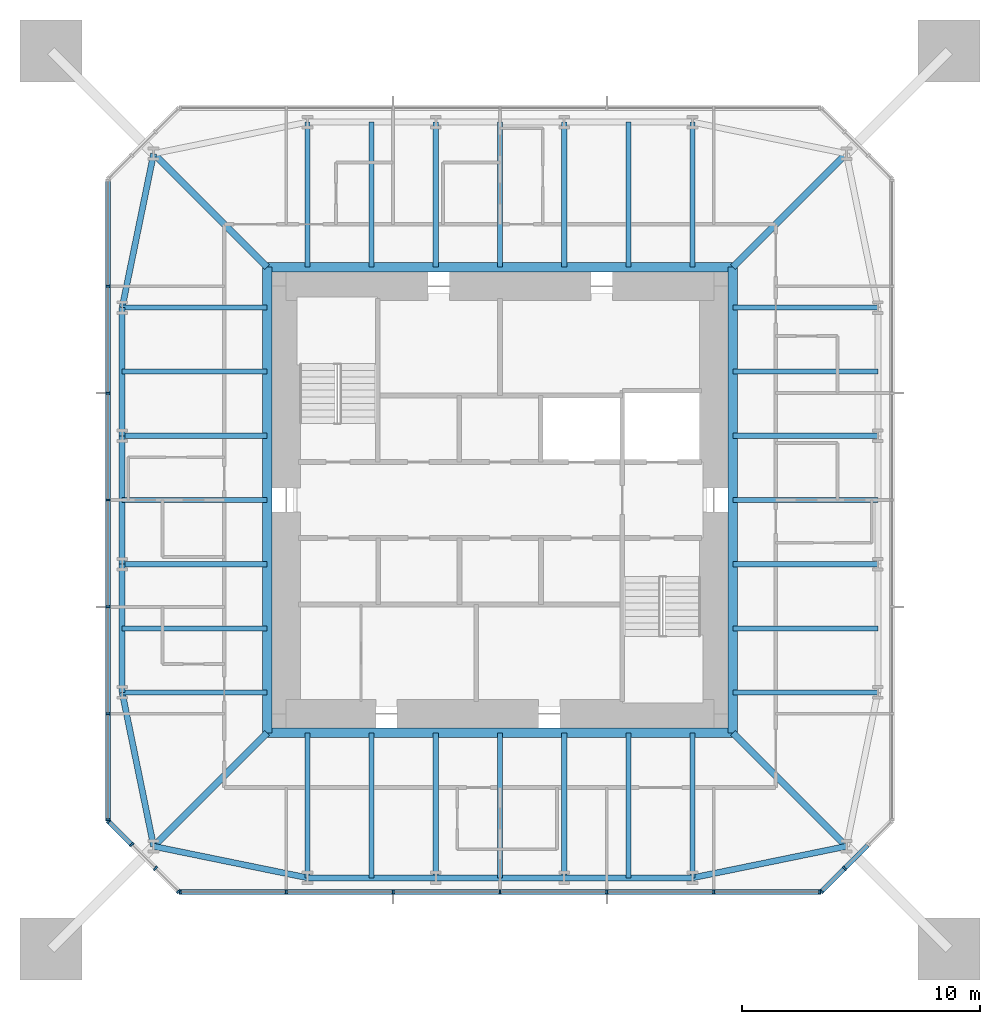
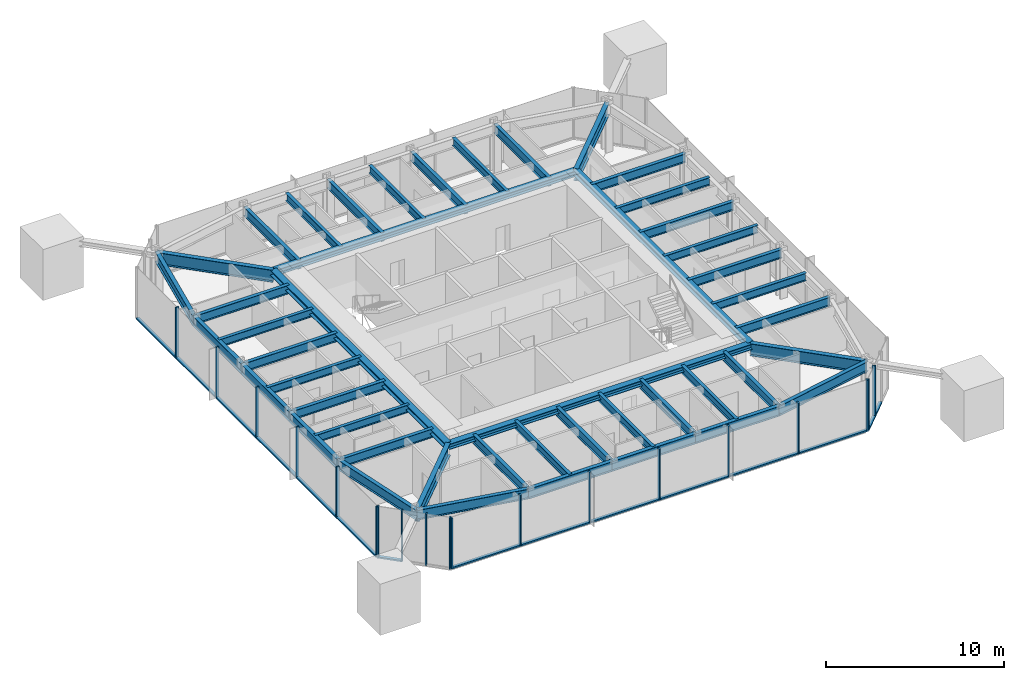
# One storey, part 2 of 9: 46 beams, 34 members, 4 elements without a shape of their own.
"""IFC4 building model written with IfcOpenShell, lengths in metres."""

from ifc_helpers import new_model, si_unit, direction, frame, origin, origin_2d, place, context, subcontext, project, spatial, rectangle, i_section, extrude, material, material_profile, profile_set, type_object, element, aggregate, save


model = new_model("IFC4")

# Units and contexts
model_context = context("Model", 3, precision=1e-05, world=origin(), true_north=direction((0.0, 1.0)))
body_context = subcontext(model_context, "Body", "Model", "MODEL_VIEW")
ifc_project = project(units=[si_unit("LENGTHUNIT", "METRE"), si_unit("AREAUNIT", "SQUARE_METRE"), si_unit("VOLUMEUNIT", "CUBIC_METRE"), si_unit("PLANEANGLEUNIT", "RADIAN"), si_unit("MASSUNIT", "GRAM", prefix="KILO")], contexts=[model_context])

# Site, building, storey
site_placement = place(None, origin())
site = spatial("IfcSite", under=ifc_project, at=site_placement, CompositionType="ELEMENT")
building_placement = place(site_placement, origin())
building = spatial("IfcBuilding", under=site, at=building_placement, Name="Iwan Alto Co-Living Towers", CompositionType="ELEMENT")
storey_placement = place(building_placement, frame((0.0, 0.0, 232.5)))
storey = spatial("IfcBuildingStorey", under=building, at=storey_placement, Name="L63", CompositionType="ELEMENT", Elevation=232.5)

# Curtain wall, members
ifc_material_1 = material(Name="Bronze aluminium unitised frame", Category="aluminium")
curtain_wall_type_1 = type_object("IfcCurtainWallType", Name="CURTAIN WALL CW-A", PredefinedType="NOTDEFINED", material=ifc_material_1)
curtain_wall_1_placement = place(storey_placement, origin())
curtain_wall_1 = element("IfcCurtainWall", 1, at=curtain_wall_1_placement, inside=storey, type_object=curtain_wall_type_1, Name="T1 curtain wall S L63", PredefinedType="NOTDEFINED")
ifc_material_2 = material(Name="Aluminium 6063-T6 bronze anodised", Category="aluminium")
ifc_material_profile_1 = material_profile(ifc_material_2, rectangle(XDim=0.199951171875, YDim=0.080078125, at=origin_2d()), Name="AL 80X200")
ifc_profile_set_1 = profile_set([ifc_material_profile_1], Name="Aluminium 6063-T6 bronze anodised")
member_type_1 = type_object("IfcMemberType", Name="CW-A MULLION 80X200", PredefinedType="MULLION", material=ifc_profile_set_1)
member_1_placement = place(storey_placement, frame((-13.4599609375, -16.5, 0.0), z_axis=(0.0, 0.0, 1.0), x_axis=(0.0, 1.0, 0.0)))
member_1 = element("IfcMember", 2, at=member_1_placement, type_object=member_type_1, Name="CW-A mullion 1", PredefinedType="MULLION", context=body_context, shape_type="SweptSolid", body=[
    extrude(rectangle(XDim=0.199951171875, YDim=0.080078125, at=origin_2d()), origin(), (0.0, 0.0, 1.0), 3.5),
])
member_2_placement = place(storey_placement, frame((-9.0, -16.5, 0.0), z_axis=(0.0, 0.0, 1.0), x_axis=(0.0, 1.0, 0.0)))
member_2 = element("IfcMember", 3, at=member_2_placement, type_object=member_type_1, Name="CW-A mullion 2", PredefinedType="MULLION", context=body_context, shape_type="SweptSolid", body=[
    extrude(rectangle(XDim=0.199951171875, YDim=0.080078125, at=origin_2d()), origin(), (0.0, 0.0, 1.0), 3.5),
])
member_3_placement = place(storey_placement, frame((-4.5, -16.5, 0.0), z_axis=(0.0, 0.0, 1.0), x_axis=(0.0, 1.0, 0.0)))
member_3 = element("IfcMember", 4, at=member_3_placement, type_object=member_type_1, Name="CW-A mullion 3", PredefinedType="MULLION", context=body_context, shape_type="SweptSolid", body=[
    extrude(rectangle(XDim=0.199951171875, YDim=0.080078125, at=origin_2d()), origin(), (0.0, 0.0, 1.0), 3.5),
])
member_4_placement = place(storey_placement, frame((0.0, -16.5, 0.0), z_axis=(0.0, 0.0, 1.0), x_axis=(0.0, 1.0, 0.0)))
member_4 = element("IfcMember", 5, at=member_4_placement, type_object=member_type_1, Name="CW-A mullion 4", PredefinedType="MULLION", context=body_context, shape_type="SweptSolid", body=[
    extrude(rectangle(XDim=0.199951171875, YDim=0.080078125, at=origin_2d()), origin(), (0.0, 0.0, 1.0), 3.5),
])
member_5_placement = place(storey_placement, frame((4.5, -16.5, 0.0), z_axis=(0.0, 0.0, 1.0), x_axis=(0.0, 1.0, 0.0)))
member_5 = element("IfcMember", 6, at=member_5_placement, type_object=member_type_1, Name="CW-A mullion 5", PredefinedType="MULLION", context=body_context, shape_type="SweptSolid", body=[
    extrude(rectangle(XDim=0.199951171875, YDim=0.080078125, at=origin_2d()), origin(), (0.0, 0.0, 1.0), 3.5),
])
member_6_placement = place(storey_placement, frame((9.0, -16.5, 0.0), z_axis=(0.0, 0.0, 1.0), x_axis=(0.0, 1.0, 0.0)))
member_6 = element("IfcMember", 7, at=member_6_placement, type_object=member_type_1, Name="CW-A mullion 6", PredefinedType="MULLION", context=body_context, shape_type="SweptSolid", body=[
    extrude(rectangle(XDim=0.199951171875, YDim=0.080078125, at=origin_2d()), origin(), (0.0, 0.0, 1.0), 3.5),
])
member_7_placement = place(storey_placement, frame((13.4599609375, -16.5, 0.0), z_axis=(0.0, 0.0, 1.0), x_axis=(0.0, 1.0, 0.0)))
member_7 = element("IfcMember", 8, at=member_7_placement, type_object=member_type_1, Name="CW-A mullion 7", PredefinedType="MULLION", context=body_context, shape_type="SweptSolid", body=[
    extrude(rectangle(XDim=0.199951171875, YDim=0.080078125, at=origin_2d()), origin(), (0.0, 0.0, 1.0), 3.5),
])

curtain_wall_2_placement = place(storey_placement, origin())
curtain_wall_2 = element("IfcCurtainWall", 9, at=curtain_wall_2_placement, inside=storey, type_object=curtain_wall_type_1, Name="T1 curtain wall W L63", PredefinedType="NOTDEFINED")
member_8_placement = place(storey_placement, frame((-16.5, 9.0, 0.0), z_axis=(0.0, 0.0, 1.0), x_axis=(1.0, 0.0, 0.0)))
member_8 = element("IfcMember", 10, at=member_8_placement, type_object=member_type_1, Name="CW-A mullion 2", PredefinedType="MULLION", context=body_context, shape_type="SweptSolid", body=[
    extrude(rectangle(XDim=0.199951171875, YDim=0.080078125, at=origin_2d()), origin(), (0.0, 0.0, 1.0), 3.5),
])
member_9_placement = place(storey_placement, frame((-16.5, 4.5, 0.0), z_axis=(0.0, 0.0, 1.0), x_axis=(1.0, 0.0, 0.0)))
member_9 = element("IfcMember", 11, at=member_9_placement, type_object=member_type_1, Name="CW-A mullion 3", PredefinedType="MULLION", context=body_context, shape_type="SweptSolid", body=[
    extrude(rectangle(XDim=0.199951171875, YDim=0.080078125, at=origin_2d()), origin(), (0.0, 0.0, 1.0), 3.5),
])
member_10_placement = place(storey_placement, frame((-16.5, 0.0, 0.0), z_axis=(0.0, 0.0, 1.0), x_axis=(1.0, 0.0, 0.0)))
member_10 = element("IfcMember", 12, at=member_10_placement, type_object=member_type_1, Name="CW-A mullion 4", PredefinedType="MULLION", context=body_context, shape_type="SweptSolid", body=[
    extrude(rectangle(XDim=0.199951171875, YDim=0.080078125, at=origin_2d()), origin(), (0.0, 0.0, 1.0), 3.5),
])
member_11_placement = place(storey_placement, frame((-16.5, -4.5, 0.0), z_axis=(0.0, 0.0, 1.0), x_axis=(1.0, 0.0, 0.0)))
member_11 = element("IfcMember", 13, at=member_11_placement, type_object=member_type_1, Name="CW-A mullion 5", PredefinedType="MULLION", context=body_context, shape_type="SweptSolid", body=[
    extrude(rectangle(XDim=0.199951171875, YDim=0.080078125, at=origin_2d()), origin(), (0.0, 0.0, 1.0), 3.5),
])
member_12_placement = place(storey_placement, frame((-16.5, -9.0, 0.0), z_axis=(0.0, 0.0, 1.0), x_axis=(1.0, 0.0, 0.0)))
member_12 = element("IfcMember", 14, at=member_12_placement, type_object=member_type_1, Name="CW-A mullion 6", PredefinedType="MULLION", context=body_context, shape_type="SweptSolid", body=[
    extrude(rectangle(XDim=0.199951171875, YDim=0.080078125, at=origin_2d()), origin(), (0.0, 0.0, 1.0), 3.5),
])
member_13_placement = place(storey_placement, frame((-16.5, -13.4599609375, 0.0), z_axis=(0.0, 0.0, 1.0), x_axis=(1.0, 0.0, 0.0)))
member_13 = element("IfcMember", 15, at=member_13_placement, type_object=member_type_1, Name="CW-A mullion 7", PredefinedType="MULLION", context=body_context, shape_type="SweptSolid", body=[
    extrude(rectangle(XDim=0.199951171875, YDim=0.080078125, at=origin_2d()), origin(), (0.0, 0.0, 1.0), 3.5),
])

# Member
ifc_material_3 = material(Name="Aluminium 6063-T6 bronze anodised", Category="aluminium")
ifc_material_profile_2 = material_profile(ifc_material_3, rectangle(XDim=0.199951171875, YDim=0.10009765625, at=origin_2d()), Name="AL 200X100")
ifc_profile_set_2 = profile_set([ifc_material_profile_2], Name="Aluminium 6063-T6 bronze anodised")
member_type_2 = type_object("IfcMemberType", Name="CW-A TRANSOM 200X100", PredefinedType="USERDEFINED", material=ifc_profile_set_2)
member_14_placement = place(storey_placement, frame((-13.419921875, -16.5, 0.050048828125), z_axis=(1.0, 0.0, 0.0), x_axis=(0.0, 1.0, 0.0)))
member_14 = element("IfcMember", 16, at=member_14_placement, type_object=member_type_2, Name="CW-A transom 1.1", ObjectType="TRANSOM", PredefinedType="USERDEFINED", context=body_context, shape_type="SweptSolid", body=[
    extrude(rectangle(XDim=0.199951171875, YDim=0.10009765625, at=origin_2d()), origin(), (0.0, 0.0, 1.0), 4.3798828125),
])

member_15_placement = place(storey_placement, frame((-8.9599609375, -16.5, 0.050048828125), z_axis=(1.0, 0.0, 0.0), x_axis=(0.0, 1.0, 0.0)))
member_15 = element("IfcMember", 17, at=member_15_placement, type_object=member_type_2, Name="CW-A transom 2.1", ObjectType="TRANSOM", PredefinedType="USERDEFINED", context=body_context, shape_type="SweptSolid", body=[
    extrude(rectangle(XDim=0.199951171875, YDim=0.10009765625, at=origin_2d()), origin(), (0.0, 0.0, 1.0), 4.419921875),
])

member_16_placement = place(storey_placement, frame((-4.4599609375, -16.5, 0.050048828125), z_axis=(1.0, 0.0, 0.0), x_axis=(0.0, 1.0, 0.0)))
member_16 = element("IfcMember", 18, at=member_16_placement, type_object=member_type_2, Name="CW-A transom 3.1", ObjectType="TRANSOM", PredefinedType="USERDEFINED", context=body_context, shape_type="SweptSolid", body=[
    extrude(rectangle(XDim=0.199951171875, YDim=0.10009765625, at=origin_2d()), origin(), (0.0, 0.0, 1.0), 4.419921875),
])

member_17_placement = place(storey_placement, frame((0.0400390625, -16.5, 0.050048828125), z_axis=(1.0, 0.0, 0.0), x_axis=(0.0, 1.0, 0.0)))
member_17 = element("IfcMember", 19, at=member_17_placement, type_object=member_type_2, Name="CW-A transom 4.1", ObjectType="TRANSOM", PredefinedType="USERDEFINED", context=body_context, shape_type="SweptSolid", body=[
    extrude(rectangle(XDim=0.199951171875, YDim=0.10009765625, at=origin_2d()), origin(), (0.0, 0.0, 1.0), 4.419921875),
])

member_18_placement = place(storey_placement, frame((4.5400390625, -16.5, 0.050048828125), z_axis=(1.0, 0.0, 0.0), x_axis=(0.0, 1.0, 0.0)))
member_18 = element("IfcMember", 20, at=member_18_placement, type_object=member_type_2, Name="CW-A transom 5.1", ObjectType="TRANSOM", PredefinedType="USERDEFINED", context=body_context, shape_type="SweptSolid", body=[
    extrude(rectangle(XDim=0.199951171875, YDim=0.10009765625, at=origin_2d()), origin(), (0.0, 0.0, 1.0), 4.419921875),
])

member_19_placement = place(storey_placement, frame((9.0400390625, -16.5, 0.050048828125), z_axis=(1.0, 0.0, 0.0), x_axis=(0.0, 1.0, 0.0)))
member_19 = element("IfcMember", 21, at=member_19_placement, type_object=member_type_2, Name="CW-A transom 6.1", ObjectType="TRANSOM", PredefinedType="USERDEFINED", context=body_context, shape_type="SweptSolid", body=[
    extrude(rectangle(XDim=0.199951171875, YDim=0.10009765625, at=origin_2d()), origin(), (0.0, 0.0, 1.0), 4.3798828125),
])

aggregate(curtain_wall_1, [member_1, member_2, member_3, member_4, member_5, member_6, member_7, member_14, member_15, member_16, member_17, member_18, member_19])

member_20_placement = place(storey_placement, frame((-16.5, 13.419921875, 0.050048828125), z_axis=(0.0, -1.0, 0.0), x_axis=(1.0, 0.0, 0.0)))
member_20 = element("IfcMember", 22, at=member_20_placement, type_object=member_type_2, Name="CW-A transom 1.1", ObjectType="TRANSOM", PredefinedType="USERDEFINED", context=body_context, shape_type="SweptSolid", body=[
    extrude(rectangle(XDim=0.199951171875, YDim=0.10009765625, at=origin_2d()), origin(), (0.0, 0.0, 1.0), 4.3798828125),
])

member_21_placement = place(storey_placement, frame((-16.5, 8.9599609375, 0.050048828125), z_axis=(0.0, -1.0, 0.0), x_axis=(1.0, 0.0, 0.0)))
member_21 = element("IfcMember", 23, at=member_21_placement, type_object=member_type_2, Name="CW-A transom 2.1", ObjectType="TRANSOM", PredefinedType="USERDEFINED", context=body_context, shape_type="SweptSolid", body=[
    extrude(rectangle(XDim=0.199951171875, YDim=0.10009765625, at=origin_2d()), origin(), (0.0, 0.0, 1.0), 4.419921875),
])

member_22_placement = place(storey_placement, frame((-16.5, 4.4599609375, 0.050048828125), z_axis=(0.0, -1.0, 0.0), x_axis=(1.0, 0.0, 0.0)))
member_22 = element("IfcMember", 24, at=member_22_placement, type_object=member_type_2, Name="CW-A transom 3.1", ObjectType="TRANSOM", PredefinedType="USERDEFINED", context=body_context, shape_type="SweptSolid", body=[
    extrude(rectangle(XDim=0.199951171875, YDim=0.10009765625, at=origin_2d()), origin(), (0.0, 0.0, 1.0), 4.419921875),
])

member_23_placement = place(storey_placement, frame((-16.5, -0.0400390625, 0.050048828125), z_axis=(0.0, -1.0, 0.0), x_axis=(1.0, 0.0, 0.0)))
member_23 = element("IfcMember", 25, at=member_23_placement, type_object=member_type_2, Name="CW-A transom 4.1", ObjectType="TRANSOM", PredefinedType="USERDEFINED", context=body_context, shape_type="SweptSolid", body=[
    extrude(rectangle(XDim=0.199951171875, YDim=0.10009765625, at=origin_2d()), origin(), (0.0, 0.0, 1.0), 4.419921875),
])

member_24_placement = place(storey_placement, frame((-16.5, -4.5400390625, 0.050048828125), z_axis=(0.0, -1.0, 0.0), x_axis=(1.0, 0.0, 0.0)))
member_24 = element("IfcMember", 26, at=member_24_placement, type_object=member_type_2, Name="CW-A transom 5.1", ObjectType="TRANSOM", PredefinedType="USERDEFINED", context=body_context, shape_type="SweptSolid", body=[
    extrude(rectangle(XDim=0.199951171875, YDim=0.10009765625, at=origin_2d()), origin(), (0.0, 0.0, 1.0), 4.419921875),
])

member_25_placement = place(storey_placement, frame((-16.5, -9.0400390625, 0.050048828125), z_axis=(0.0, -1.0, 0.0), x_axis=(1.0, 0.0, 0.0)))
member_25 = element("IfcMember", 27, at=member_25_placement, type_object=member_type_2, Name="CW-A transom 6.1", ObjectType="TRANSOM", PredefinedType="USERDEFINED", context=body_context, shape_type="SweptSolid", body=[
    extrude(rectangle(XDim=0.199951171875, YDim=0.10009765625, at=origin_2d()), origin(), (0.0, 0.0, 1.0), 4.3798828125),
])

aggregate(curtain_wall_2, [member_8, member_9, member_10, member_11, member_12, member_13, member_20, member_21, member_22, member_23, member_24, member_25])

# Curtain wall, members
ifc_material_4 = material(Name="Bronze aluminium unitised frame", Category="aluminium")
curtain_wall_type_2 = type_object("IfcCurtainWallType", Name="CURTAIN WALL CW-B", PredefinedType="NOTDEFINED", material=ifc_material_4)
curtain_wall_3_placement = place(storey_placement, origin())
curtain_wall_3 = element("IfcCurtainWall", 28, at=curtain_wall_3_placement, inside=storey, type_object=curtain_wall_type_2, Name="T1 chamfer curtain wall SE L63", PredefinedType="NOTDEFINED")
ifc_material_5 = material(Name="Aluminium 6063-T6 bronze anodised", Category="aluminium")
ifc_material_profile_3 = material_profile(ifc_material_5, rectangle(XDim=0.199951171875, YDim=0.080078125, at=origin_2d()), Name="AL 80X200")
ifc_profile_set_3 = profile_set([ifc_material_profile_3], Name="Aluminium 6063-T6 bronze anodised")
member_type_3 = type_object("IfcMemberType", Name="CW-B MULLION 80X200", PredefinedType="MULLION", material=ifc_profile_set_3)
member_26_placement = place(storey_placement, frame((13.5283203125, -16.4716796875, 0.0), z_axis=(0.0, 0.0, 1.0), x_axis=(-0.707106781187, 0.707106781187, 0.0)))
member_26 = element("IfcMember", 29, at=member_26_placement, type_object=member_type_3, Name="CW-B mullion 1", PredefinedType="MULLION", context=body_context, shape_type="SweptSolid", body=[
    extrude(rectangle(XDim=0.199951171875, YDim=0.080078125, at=origin_2d()), origin(), (0.0, 0.0, 1.0), 3.5),
])
member_27_placement = place(storey_placement, frame((14.5, -15.5, 0.0), z_axis=(0.0, 0.0, 1.0), x_axis=(-0.707106781187, 0.707106781187, 0.0)))
member_27 = element("IfcMember", 30, at=member_27_placement, type_object=member_type_3, Name="CW-B mullion 2", PredefinedType="MULLION", context=body_context, shape_type="SweptSolid", body=[
    extrude(rectangle(XDim=0.199951171875, YDim=0.080078125, at=origin_2d()), origin(), (0.0, 0.0, 1.0), 3.5),
])

curtain_wall_4_placement = place(storey_placement, origin())
curtain_wall_4 = element("IfcCurtainWall", 31, at=curtain_wall_4_placement, inside=storey, type_object=curtain_wall_type_2, Name="T1 chamfer curtain wall SW L63", PredefinedType="NOTDEFINED")
member_28_placement = place(storey_placement, frame((-16.4716796875, -13.5283203125, 0.0), z_axis=(0.0, 0.0, 1.0), x_axis=(0.707106781187, 0.707106781187, 0.0)))
member_28 = element("IfcMember", 32, at=member_28_placement, type_object=member_type_3, Name="CW-B mullion 1", PredefinedType="MULLION", context=body_context, shape_type="SweptSolid", body=[
    extrude(rectangle(XDim=0.199951171875, YDim=0.080078125, at=origin_2d()), origin(), (0.0, 0.0, 1.0), 3.5),
])
member_29_placement = place(storey_placement, frame((-15.5, -14.5, 0.0), z_axis=(0.0, 0.0, 1.0), x_axis=(0.707106781187, 0.707106781187, 0.0)))
member_29 = element("IfcMember", 33, at=member_29_placement, type_object=member_type_3, Name="CW-B mullion 2", PredefinedType="MULLION", context=body_context, shape_type="SweptSolid", body=[
    extrude(rectangle(XDim=0.199951171875, YDim=0.080078125, at=origin_2d()), origin(), (0.0, 0.0, 1.0), 3.5),
])
member_30_placement = place(storey_placement, frame((-14.5, -15.5, 0.0), z_axis=(0.0, 0.0, 1.0), x_axis=(0.707106781187, 0.707106781187, 0.0)))
member_30 = element("IfcMember", 34, at=member_30_placement, type_object=member_type_3, Name="CW-B mullion 3", PredefinedType="MULLION", context=body_context, shape_type="SweptSolid", body=[
    extrude(rectangle(XDim=0.199951171875, YDim=0.080078125, at=origin_2d()), origin(), (0.0, 0.0, 1.0), 3.5),
])
member_31_placement = place(storey_placement, frame((-13.5283203125, -16.4716796875, 0.0), z_axis=(0.0, 0.0, 1.0), x_axis=(0.707106781187, 0.707106781187, 0.0)))
member_31 = element("IfcMember", 35, at=member_31_placement, type_object=member_type_3, Name="CW-B mullion 4", PredefinedType="MULLION", context=body_context, shape_type="SweptSolid", body=[
    extrude(rectangle(XDim=0.199951171875, YDim=0.080078125, at=origin_2d()), origin(), (0.0, 0.0, 1.0), 3.5),
])

# Member
ifc_material_6 = material(Name="Aluminium 6063-T6 bronze anodised", Category="aluminium")
ifc_material_profile_4 = material_profile(ifc_material_6, rectangle(XDim=0.199951171875, YDim=0.10009765625, at=origin_2d()), Name="AL 200X100")
ifc_profile_set_4 = profile_set([ifc_material_profile_4], Name="Aluminium 6063-T6 bronze anodised")
member_type_4 = type_object("IfcMemberType", Name="CW-B TRANSOM 200X100", PredefinedType="USERDEFINED", material=ifc_profile_set_4)
member_32_placement = place(storey_placement, frame((13.556640625, -16.443359375, 0.050048828125), z_axis=(0.707106781187, 0.707106781187, 0.0), x_axis=(-0.707106781187, 0.707106781187, 0.0)))
member_32 = element("IfcMember", 36, at=member_32_placement, type_object=member_type_4, Name="CW-B transom 1.1", ObjectType="TRANSOM", PredefinedType="USERDEFINED", context=body_context, shape_type="SweptSolid", body=[
    extrude(rectangle(XDim=0.199951171875, YDim=0.10009765625, at=origin_2d()), origin(), (0.0, 0.0, 1.0), 1.2939453125),
])

member_33_placement = place(storey_placement, frame((14.5283203125, -15.4716796875, 0.050048828125), z_axis=(0.707106781187, 0.707106781187, 0.0), x_axis=(-0.707106781187, 0.707106781187, 0.0)))
member_33 = element("IfcMember", 37, at=member_33_placement, type_object=member_type_4, Name="CW-B transom 2.1", ObjectType="TRANSOM", PredefinedType="USERDEFINED", context=body_context, shape_type="SweptSolid", body=[
    extrude(rectangle(XDim=0.199951171875, YDim=0.10009765625, at=origin_2d()), origin(), (0.0, 0.0, 1.0), 1.334228515625),
])

aggregate(curtain_wall_3, [member_26, member_27, member_32, member_33])

member_34_placement = place(storey_placement, frame((-16.443359375, -13.556640625, 0.050048828125), z_axis=(0.707106781187, -0.707106781187, 0.0), x_axis=(0.707106781187, 0.707106781187, 0.0)))
member_34 = element("IfcMember", 38, at=member_34_placement, type_object=member_type_4, Name="CW-B transom 1.1", ObjectType="TRANSOM", PredefinedType="USERDEFINED", context=body_context, shape_type="SweptSolid", body=[
    extrude(rectangle(XDim=0.199951171875, YDim=0.10009765625, at=origin_2d()), origin(), (0.0, 0.0, 1.0), 1.2939453125),
])

aggregate(curtain_wall_4, [member_28, member_29, member_30, member_31, member_34])

# Beams
ifc_material_7 = material(Name="Steel ASTM A992 Gr 50", Category="steel")
ifc_material_profile_5 = material_profile(ifc_material_7, i_section(OverallWidth=0.398681640625, OverallDepth=0.385986328125, WebThickness=0.02099609375, FlangeThickness=0.033203125, at=origin_2d()), Name="W14X176")
ifc_profile_set_5 = profile_set([ifc_material_profile_5], Name="Steel ASTM A992 Gr 50")
beam_type_1 = type_object("IfcBeamType", Name="T1 CORE LEDGER BEAM W14X176", PredefinedType="BEAM", material=ifc_profile_set_5)
for number, where, z_axis, x_axis, name in (
    (39, (-9.79931640625, -9.79931640625, 3.076904296875), (1.0, 0.0, 0.0), (0.0, 1.0, 0.0), "T1 core ledger beam S L64"),
    (40, (9.79931640625, -9.79931640625, 3.076904296875), (0.0, 1.0, 0.0), (-1.0, 0.0, 0.0), "T1 core ledger beam E L64"),
    (41, (9.79931640625, 9.79931640625, 3.076904296875), (-1.0, 0.0, 0.0), (0.0, -1.0, 0.0), "T1 core ledger beam N L64"),
    (42, (-9.79931640625, 9.79931640625, 3.076904296875), (0.0, -1.0, 0.0), (1.0, 0.0, 0.0), "T1 core ledger beam W L64"),
):
    element("IfcBeam", number, at=place(storey_placement, frame(where, z_axis=z_axis, x_axis=x_axis)), inside=storey, type_object=beam_type_1, Name=name, PredefinedType="BEAM", context=body_context, shape_type="SweptSolid", body=[
        extrude(i_section(OverallWidth=0.398681640625, OverallDepth=0.385986328125, WebThickness=0.02099609375, FlangeThickness=0.033203125, at=origin_2d()), origin(), (0.0, 0.0, 1.0), 19.5986328125),
    ])
ifc_material_8 = material(Name="Steel ASTM A992 Gr 50", Category="steel")
ifc_material_profile_6 = material_profile(ifc_material_8, i_section(OverallWidth=0.2919921875, OverallDepth=0.8408203125, WebThickness=0.0146484375, FlangeThickness=0.021728515625, at=origin_2d()), Name="W33X130")
ifc_profile_set_6 = profile_set([ifc_material_profile_6], Name="Steel ASTM A992 Gr 50")
beam_type_2 = type_object("IfcBeamType", Name="T1 CORNER GIRDER W33X130", PredefinedType="BEAM", material=ifc_profile_set_6)
for number, where, z_axis, x_axis, name in (
    (43, (-14.57568359375, -14.57568359375, 2.849609375), (0.707106781187, 0.707106781187, 0.0), (-0.707106781187, 0.707106781187, 0.0), "T1 corner girder CSW L64"),
    (44, (14.57568359375, -14.57568359375, 2.849609375), (-0.707106781187, 0.707106781187, 0.0), (-0.707106781187, -0.707106781187, 0.0), "T1 corner girder CSE L64"),
    (45, (14.57568359375, 14.57568359375, 2.849609375), (-0.707106781187, -0.707106781187, 0.0), (0.707106781187, -0.707106781187, 0.0), "T1 corner girder CNE L64"),
    (46, (-14.57568359375, 14.57568359375, 2.849609375), (0.707106781187, -0.707106781187, 0.0), (0.707106781187, 0.707106781187, 0.0), "T1 corner girder CNW L64"),
):
    element("IfcBeam", number, at=place(storey_placement, frame(where, z_axis=z_axis, x_axis=x_axis)), inside=storey, type_object=beam_type_2, Name=name, PredefinedType="BEAM", context=body_context, shape_type="SweptSolid", body=[
        extrude(i_section(OverallWidth=0.2919921875, OverallDepth=0.8408203125, WebThickness=0.0146484375, FlangeThickness=0.021728515625, at=origin_2d()), origin(), (0.0, 0.0, 1.0), 6.7548828125),
    ])
ifc_material_9 = material(Name="Steel ASTM A992 Gr 50", Category="steel")
ifc_material_profile_7 = material_profile(ifc_material_9, i_section(OverallWidth=0.25390625, OverallDepth=0.683349609375, WebThickness=0.012451171875, FlangeThickness=0.018798828125, at=origin_2d()), Name="W27X94")
ifc_profile_set_7 = profile_set([ifc_material_profile_7], Name="Steel ASTM A992 Gr 50")
beam_type_3 = type_object("IfcBeamType", Name="T1 EDGE BEAM W27X94", PredefinedType="BEAM", material=ifc_profile_set_7)
beam_1_placement = place(storey_placement, frame((-14.57568359375, -14.57568359375, 2.928466796875), z_axis=(0.979724820103, -0.200347889618, 0.0), x_axis=(0.200347889618, 0.979724820103, 0.0)))
element("IfcBeam", 47, at=beam_1_placement, inside=storey, type_object=beam_type_3, Name="T1 edge beam CSW L64", PredefinedType="BEAM", context=body_context, shape_type="SweptSolid", body=[
    extrude(i_section(OverallWidth=0.25390625, OverallDepth=0.683349609375, WebThickness=0.012451171875, FlangeThickness=0.018798828125, at=origin_2d()), origin(), (0.0, 0.0, 1.0), 6.609619140625),
])
beam_2_placement = place(storey_placement, frame((-8.10009765625, -15.89990234375, 2.928466796875), z_axis=(1.0, 0.0, 0.0), x_axis=(0.0, 1.0, 0.0)))
element("IfcBeam", 48, at=beam_2_placement, inside=storey, type_object=beam_type_3, Name="T1 edge beam S1 L64", PredefinedType="BEAM", context=body_context, shape_type="SweptSolid", body=[
    extrude(i_section(OverallWidth=0.25390625, OverallDepth=0.683349609375, WebThickness=0.012451171875, FlangeThickness=0.018798828125, at=origin_2d()), origin(), (0.0, 0.0, 1.0), 5.400146484375),
])
beam_3_placement = place(storey_placement, frame((-2.699951171875, -15.89990234375, 2.928466796875), z_axis=(1.0, 0.0, 0.0), x_axis=(0.0, 1.0, 0.0)))
element("IfcBeam", 49, at=beam_3_placement, inside=storey, type_object=beam_type_3, Name="T1 edge beam S2 L64", PredefinedType="BEAM", context=body_context, shape_type="SweptSolid", body=[
    extrude(i_section(OverallWidth=0.25390625, OverallDepth=0.683349609375, WebThickness=0.012451171875, FlangeThickness=0.018798828125, at=origin_2d()), origin(), (0.0, 0.0, 1.0), 5.39990234375),
])
beam_4_placement = place(storey_placement, frame((2.699951171875, -15.89990234375, 2.928466796875), z_axis=(1.0, 0.0, 0.0), x_axis=(0.0, 1.0, 0.0)))
element("IfcBeam", 50, at=beam_4_placement, inside=storey, type_object=beam_type_3, Name="T1 edge beam S3 L64", PredefinedType="BEAM", context=body_context, shape_type="SweptSolid", body=[
    extrude(i_section(OverallWidth=0.25390625, OverallDepth=0.683349609375, WebThickness=0.012451171875, FlangeThickness=0.018798828125, at=origin_2d()), origin(), (0.0, 0.0, 1.0), 5.400146484375),
])
for number, where, z_axis, x_axis, name in (
    (51, (8.10009765625, -15.89990234375, 2.928466796875), (0.979724820103, 0.200347889618, 0.0), (-0.200347889618, 0.979724820103, 0.0), "T1 edge beam S4 L64"),
    (52, (-14.57568359375, 14.57568359375, 2.928466796875), (-0.200347889618, -0.979724820103, 0.0), (0.979724820103, -0.200347889618, 0.0), "T1 edge beam CNW L64"),
):
    element("IfcBeam", number, at=place(storey_placement, frame(where, z_axis=z_axis, x_axis=x_axis)), inside=storey, type_object=beam_type_3, Name=name, PredefinedType="BEAM", context=body_context, shape_type="SweptSolid", body=[
        extrude(i_section(OverallWidth=0.25390625, OverallDepth=0.683349609375, WebThickness=0.012451171875, FlangeThickness=0.018798828125, at=origin_2d()), origin(), (0.0, 0.0, 1.0), 6.609619140625),
    ])
beam_5_placement = place(storey_placement, frame((-15.89990234375, 8.10009765625, 2.928466796875), z_axis=(0.0, -1.0, 0.0), x_axis=(1.0, 0.0, 0.0)))
element("IfcBeam", 53, at=beam_5_placement, inside=storey, type_object=beam_type_3, Name="T1 edge beam W1 L64", PredefinedType="BEAM", context=body_context, shape_type="SweptSolid", body=[
    extrude(i_section(OverallWidth=0.25390625, OverallDepth=0.683349609375, WebThickness=0.012451171875, FlangeThickness=0.018798828125, at=origin_2d()), origin(), (0.0, 0.0, 1.0), 5.400146484375),
])
beam_6_placement = place(storey_placement, frame((-15.89990234375, 2.699951171875, 2.928466796875), z_axis=(0.0, -1.0, 0.0), x_axis=(1.0, 0.0, 0.0)))
element("IfcBeam", 54, at=beam_6_placement, inside=storey, type_object=beam_type_3, Name="T1 edge beam W2 L64", PredefinedType="BEAM", context=body_context, shape_type="SweptSolid", body=[
    extrude(i_section(OverallWidth=0.25390625, OverallDepth=0.683349609375, WebThickness=0.012451171875, FlangeThickness=0.018798828125, at=origin_2d()), origin(), (0.0, 0.0, 1.0), 5.39990234375),
])
beam_7_placement = place(storey_placement, frame((-15.89990234375, -2.699951171875, 2.928466796875), z_axis=(0.0, -1.0, 0.0), x_axis=(1.0, 0.0, 0.0)))
element("IfcBeam", 55, at=beam_7_placement, inside=storey, type_object=beam_type_3, Name="T1 edge beam W3 L64", PredefinedType="BEAM", context=body_context, shape_type="SweptSolid", body=[
    extrude(i_section(OverallWidth=0.25390625, OverallDepth=0.683349609375, WebThickness=0.012451171875, FlangeThickness=0.018798828125, at=origin_2d()), origin(), (0.0, 0.0, 1.0), 5.400146484375),
])
beam_8_placement = place(storey_placement, frame((-15.89990234375, -8.10009765625, 2.928466796875), z_axis=(0.200347889618, -0.979724820103, 0.0), x_axis=(0.979724820103, 0.200347889618, 0.0)))
element("IfcBeam", 56, at=beam_8_placement, inside=storey, type_object=beam_type_3, Name="T1 edge beam W4 L64", PredefinedType="BEAM", context=body_context, shape_type="SweptSolid", body=[
    extrude(i_section(OverallWidth=0.25390625, OverallDepth=0.683349609375, WebThickness=0.012451171875, FlangeThickness=0.018798828125, at=origin_2d()), origin(), (0.0, 0.0, 1.0), 6.609619140625),
])
ifc_material_10 = material(Name="Steel ASTM A992 Gr 50", Category="steel")
ifc_material_profile_8 = material_profile(ifc_material_10, i_section(OverallWidth=0.228271484375, OverallDepth=0.607177734375, WebThickness=0.01123046875, FlangeThickness=0.017333984375, at=origin_2d()), Name="W24X76")
ifc_profile_set_8 = profile_set([ifc_material_profile_8], Name="Steel ASTM A992 Gr 50")
beam_type_4 = type_object("IfcBeamType", Name="T1 RADIAL BEAM W24X76", PredefinedType="BEAM", material=ifc_profile_set_8)
for number, where, z_axis, x_axis, name in (
    (57, (-8.10009765625, -15.89990234375, 2.966552734375), (0.0, 1.0, 0.0), (-1.0, 0.0, 0.0), "T1 radial beam S1 L64"),
    (58, (-2.699951171875, -15.89990234375, 2.966552734375), (0.0, 1.0, 0.0), (-1.0, 0.0, 0.0), "T1 radial beam S2 L64"),
    (59, (2.699951171875, -15.89990234375, 2.966552734375), (0.0, 1.0, 0.0), (-1.0, 0.0, 0.0), "T1 radial beam S3 L64"),
    (60, (8.10009765625, -15.89990234375, 2.966552734375), (0.0, 1.0, 0.0), (-1.0, 0.0, 0.0), "T1 radial beam S4 L64"),
    (61, (15.89990234375, -8.10009765625, 2.966552734375), (-1.0, 0.0, 0.0), (0.0, -1.0, 0.0), "T1 radial beam E1 L64"),
    (62, (15.89990234375, -2.699951171875, 2.966552734375), (-1.0, 0.0, 0.0), (0.0, -1.0, 0.0), "T1 radial beam E2 L64"),
    (63, (15.89990234375, 2.699951171875, 2.966552734375), (-1.0, 0.0, 0.0), (0.0, -1.0, 0.0), "T1 radial beam E3 L64"),
    (64, (15.89990234375, 8.10009765625, 2.966552734375), (-1.0, 0.0, 0.0), (0.0, -1.0, 0.0), "T1 radial beam E4 L64"),
    (65, (8.10009765625, 15.89990234375, 2.966552734375), (0.0, -1.0, 0.0), (1.0, 0.0, 0.0), "T1 radial beam N1 L64"),
    (66, (2.699951171875, 15.89990234375, 2.966552734375), (0.0, -1.0, 0.0), (1.0, 0.0, 0.0), "T1 radial beam N2 L64"),
    (67, (-2.699951171875, 15.89990234375, 2.966552734375), (0.0, -1.0, 0.0), (1.0, 0.0, 0.0), "T1 radial beam N3 L64"),
    (68, (-8.10009765625, 15.89990234375, 2.966552734375), (0.0, -1.0, 0.0), (1.0, 0.0, 0.0), "T1 radial beam N4 L64"),
    (69, (-15.89990234375, 8.10009765625, 2.966552734375), (1.0, 0.0, 0.0), (0.0, 1.0, 0.0), "T1 radial beam W1 L64"),
    (70, (-15.89990234375, 2.699951171875, 2.966552734375), (1.0, 0.0, 0.0), (0.0, 1.0, 0.0), "T1 radial beam W2 L64"),
    (71, (-15.89990234375, -2.699951171875, 2.966552734375), (1.0, 0.0, 0.0), (0.0, 1.0, 0.0), "T1 radial beam W3 L64"),
    (72, (-15.89990234375, -8.10009765625, 2.966552734375), (1.0, 0.0, 0.0), (0.0, 1.0, 0.0), "T1 radial beam W4 L64"),
):
    element("IfcBeam", number, at=place(storey_placement, frame(where, z_axis=z_axis, x_axis=x_axis)), inside=storey, type_object=beam_type_4, Name=name, PredefinedType="BEAM", context=body_context, shape_type="SweptSolid", body=[
        extrude(i_section(OverallWidth=0.228271484375, OverallDepth=0.607177734375, WebThickness=0.01123046875, FlangeThickness=0.017333984375, at=origin_2d()), origin(), (0.0, 0.0, 1.0), 6.1005859375),
    ])
ifc_material_11 = material(Name="Steel ASTM A992 Gr 50", Category="steel")
ifc_material_profile_9 = material_profile(ifc_material_11, i_section(OverallWidth=0.209228515625, OverallDepth=0.533447265625, WebThickness=0.01025390625, FlangeThickness=0.015625, at=origin_2d()), Name="W21X62")
ifc_profile_set_9 = profile_set([ifc_material_profile_9], Name="Steel ASTM A992 Gr 50")
beam_type_5 = type_object("IfcBeamType", Name="T1 SECONDARY BEAM W21X62", PredefinedType="JOIST", material=ifc_profile_set_9)
for number, where, z_axis, x_axis, name in (
    (73, (-5.39990234375, -15.89990234375, 3.00341796875), (0.0, 1.0, 0.0), (-1.0, 0.0, 0.0), "T1 secondary beam S1 L64"),
    (74, (0.0, -15.89990234375, 3.00341796875), (0.0, 1.0, 0.0), (-1.0, 0.0, 0.0), "T1 secondary beam S2 L64"),
    (75, (5.39990234375, -15.89990234375, 3.00341796875), (0.0, 1.0, 0.0), (-1.0, 0.0, 0.0), "T1 secondary beam S3 L64"),
    (76, (15.89990234375, -5.39990234375, 3.00341796875), (-1.0, 0.0, 0.0), (0.0, -1.0, 0.0), "T1 secondary beam E1 L64"),
    (77, (15.89990234375, 0.0, 3.00341796875), (-1.0, 0.0, 0.0), (0.0, -1.0, 0.0), "T1 secondary beam E2 L64"),
    (78, (15.89990234375, 5.39990234375, 3.00341796875), (-1.0, 0.0, 0.0), (0.0, -1.0, 0.0), "T1 secondary beam E3 L64"),
    (79, (5.39990234375, 15.89990234375, 3.00341796875), (0.0, -1.0, 0.0), (1.0, 0.0, 0.0), "T1 secondary beam N1 L64"),
    (80, (0.0, 15.89990234375, 3.00341796875), (0.0, -1.0, 0.0), (1.0, 0.0, 0.0), "T1 secondary beam N2 L64"),
    (81, (-5.39990234375, 15.89990234375, 3.00341796875), (0.0, -1.0, 0.0), (1.0, 0.0, 0.0), "T1 secondary beam N3 L64"),
    (82, (-15.89990234375, 5.39990234375, 3.00341796875), (1.0, 0.0, 0.0), (0.0, 1.0, 0.0), "T1 secondary beam W1 L64"),
    (83, (-15.89990234375, 0.0, 3.00341796875), (1.0, 0.0, 0.0), (0.0, 1.0, 0.0), "T1 secondary beam W2 L64"),
    (84, (-15.89990234375, -5.39990234375, 3.00341796875), (1.0, 0.0, 0.0), (0.0, 1.0, 0.0), "T1 secondary beam W3 L64"),
):
    element("IfcBeam", number, at=place(storey_placement, frame(where, z_axis=z_axis, x_axis=x_axis)), inside=storey, type_object=beam_type_5, Name=name, PredefinedType="JOIST", context=body_context, shape_type="SweptSolid", body=[
        extrude(i_section(OverallWidth=0.209228515625, OverallDepth=0.533447265625, WebThickness=0.01025390625, FlangeThickness=0.015625, at=origin_2d()), origin(), (0.0, 0.0, 1.0), 6.1005859375),
    ])

save(model, "model.ifc")
